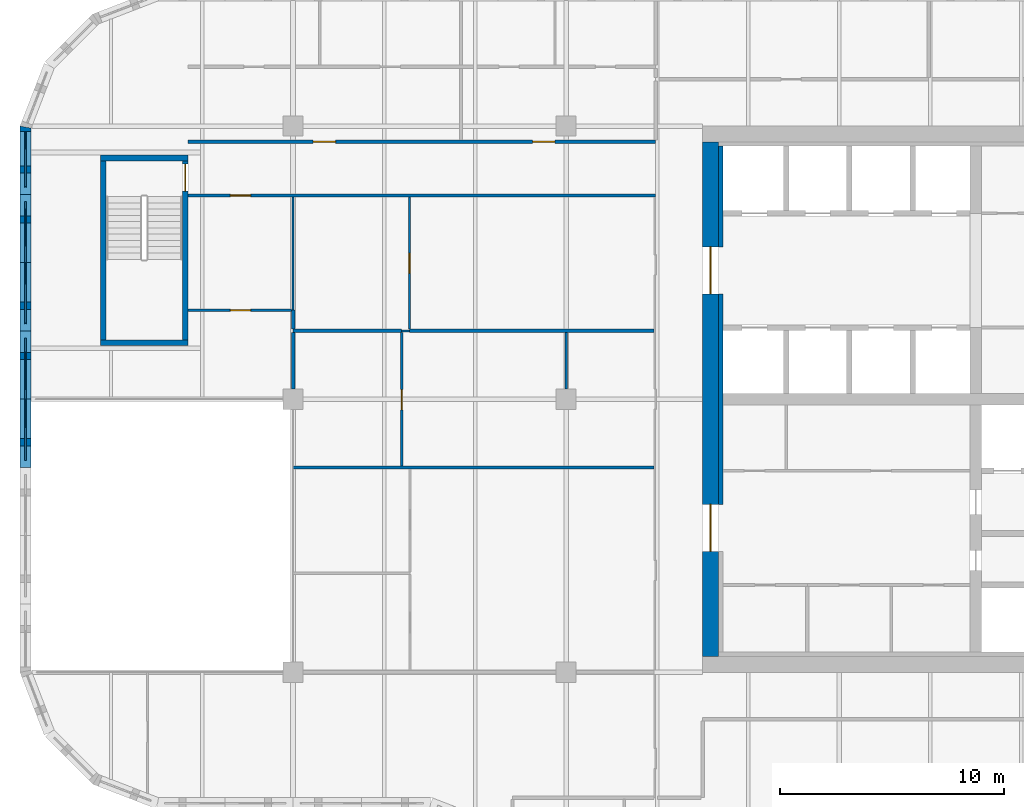
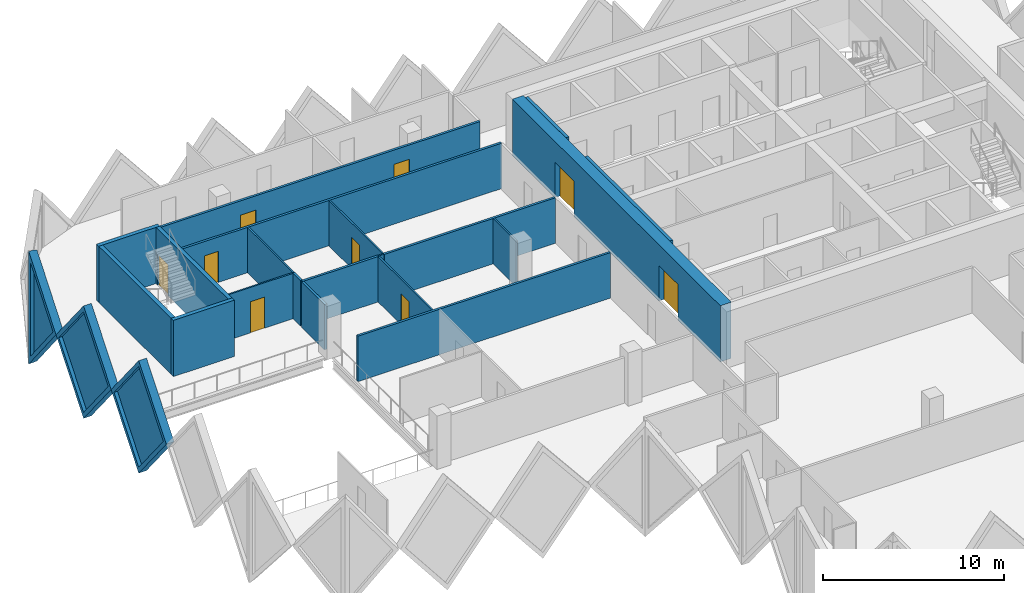
# One storey, part 7 of 12: 23 walls, 9 doors, 3 plates, 12 openings.
"""IFC4 building model written with IfcOpenShell, lengths in metres."""

from ifc_helpers import new_model, si_unit, direction, frame, frame_2d, origin, place, context, subcontext, project, spatial, polyline, rectangle, outline, extrude, faceted_brep, source, transform, mapped, material, layer, layer_set, type_object, element, fill, save


model = new_model("IFC4")

# Units and contexts
model_context = context("Model", 3, precision=1e-05, world=origin(), true_north=direction((0.0, 1.0)))
body_context = subcontext(model_context, "Body", "Model", "MODEL_VIEW")
ifc_project = project(units=[si_unit("LENGTHUNIT", "METRE"), si_unit("AREAUNIT", "SQUARE_METRE"), si_unit("VOLUMEUNIT", "CUBIC_METRE"), si_unit("PLANEANGLEUNIT", "RADIAN"), si_unit("MASSUNIT", "GRAM", prefix="KILO")], contexts=[model_context])

# Site, building, storey
site_placement = place(None, origin())
site = spatial("IfcSite", under=ifc_project, at=site_placement, CompositionType="ELEMENT")
building_placement = place(site_placement, origin())
building = spatial("IfcBuilding", under=site, at=building_placement, Name="Tessera Gate Towers", CompositionType="ELEMENT")
storey_placement = place(building_placement, frame((0.0, 0.0, 139.199951171875)))
storey = spatial("IfcBuildingStorey", under=building, at=storey_placement, Name="L34", CompositionType="ELEMENT", Elevation=139.199951171875)

# Walls
ifc_material_1 = material(Name="Concrete C40/50", Category="concrete")
ifc_layer_1 = layer(ifc_material_1, 0.25)
ifc_layer_set_1 = layer_set([ifc_layer_1], Name="CORE ENCLOSURE WALL 250")
wall_type_1 = type_object("IfcWallType", Name="CORE ENCLOSURE WALL 250", PredefinedType="SOLIDWALL", material=ifc_layer_set_1)
wall_1_placement = place(storey_placement, frame((7.5, 39.125, 0.0), z_axis=(0.0, 0.0, 1.0), x_axis=(-1.0, 0.0, 0.0)))
element("IfcWall", 1, at=wall_1_placement, inside=storey, type_object=wall_type_1, Name="L34 ST3 enclosure wall", PredefinedType="SOLIDWALL", context=body_context, shape_type="SweptSolid", body=[
    extrude(rectangle(XDim=3.89990234375, YDim=0.25, at=frame_2d((1.949951171875, 0.0))), origin(), (0.0, 0.0, 1.0), 3.800048828125),
])
wall_2_placement = place(storey_placement, frame((3.72509765625, 39.25, 0.0), z_axis=(0.0, 0.0, 1.0), x_axis=(0.0, 1.0, 0.0)))
element("IfcWall", 2, at=wall_2_placement, inside=storey, type_object=wall_type_1, Name="L34 ST3 enclosure wall", PredefinedType="SOLIDWALL", context=body_context, shape_type="SweptSolid", body=[
    extrude(rectangle(XDim=8.0, YDim=0.25, at=frame_2d((4.0, 0.0))), origin(), (0.0, 0.0, 1.0), 3.800048828125),
])
wall_3_placement = place(storey_placement, frame((3.60009765625, 47.375, 0.0), z_axis=(0.0, 0.0, 1.0), x_axis=(1.0, 0.0, 0.0)))
element("IfcWall", 3, at=wall_3_placement, inside=storey, type_object=wall_type_1, Name="L34 ST3 enclosure wall", PredefinedType="SOLIDWALL", context=body_context, shape_type="SweptSolid", body=[
    extrude(rectangle(XDim=3.89990234375, YDim=0.25, at=frame_2d((1.949951171875, 0.0))), origin(), (0.0, 0.0, 1.0), 3.800048828125),
])

# Wall, opening, door
wall_4_placement = place(storey_placement, frame((7.375, 47.25, 0.0), z_axis=(0.0, 0.0, 1.0), x_axis=(0.0, -1.0, 0.0)))
wall_4 = element("IfcWall", 4, at=wall_4_placement, inside=storey, type_object=wall_type_1, Name="L34 ST3 enclosure wall", PredefinedType="SOLIDWALL", context=body_context, shape_type="SweptSolid", body=[
    extrude(rectangle(XDim=8.0, YDim=0.25, at=frame_2d((4.0, 0.0))), origin(), (0.0, 0.0, 1.0), 3.800048828125),
])
shared_shape_1 = source(origin(), body_context, "Body", "SweptSolid", [
    extrude(rectangle(XDim=1.199951171875, YDim=2.10009765625, at=frame_2d((0.60009765625, 1.050048828125))), frame((0.0, 0.135009765625, 0.0), z_axis=(0.0, -1.0, 0.0), x_axis=(1.0, 0.0, 0.0)), (0.0, 0.0, 1.0), 0.27001953125),
])
opening_1_placement = place(wall_4_placement, frame((0.14990234375, 0.0, 0.0)))
opening_1 = element("IfcOpeningElement", 5, at=opening_1_placement, cuts=wall_4, Name="Opening SD-ST3-1", PredefinedType="OPENING", context=body_context, shape_type="MappedRepresentation", body=[
    mapped(shared_shape_1, transform((0.0, 0.0, 0.0), scale=1.0)),
])
ifc_material_2 = material(Name="Hollow steel fire door", Category="steel")
door_type_1 = type_object("IfcDoorType", Name="CORE DOOR SD 1200x2100", OperationType="NOTDEFINED", PredefinedType="DOOR", material=ifc_material_2)
shared_shape_2 = source(origin(), body_context, "Body", "SweptSolid", [
    extrude(rectangle(XDim=1.199951171875, YDim=2.10009765625, at=frame_2d((0.60009765625, 1.050048828125))), frame((0.0, 0.02490234375, 0.0), z_axis=(0.0, -1.0, 0.0), x_axis=(1.0, 0.0, 0.0)), (0.0, 0.0, 1.0), 0.050048828125),
])
door_1_placement = place(opening_1_placement, origin())
door_1 = element("IfcDoor", 6, at=door_1_placement, inside=storey, type_object=door_type_1, Name="Stair door", OperationType="SINGLE_SWING_LEFT", OverallHeight=2.10009765625, OverallWidth=1.199951171875, PredefinedType="DOOR", context=body_context, shape_type="MappedRepresentation", body=[
    mapped(shared_shape_2, transform((0.0, 0.0, 0.0), scale=1.0)),
])
fill(opening_1, door_1)

# Wall, openings, doors
ifc_material_3 = material(Name="Concrete C60/75", Category="concrete")
ifc_layer_2 = layer(ifc_material_3, 0.699951171875)
ifc_layer_set_2 = layer_set([ifc_layer_2], Name="CORE SHEAR WALL 700 C60/75")
wall_type_2 = type_object("IfcWallType", Name="CORE SHEAR WALL 700 C60/75", PredefinedType="SHEAR", material=ifc_layer_set_2)
wall_5_placement = place(storey_placement, frame((30.85009765625, 25.10009765625, 0.0), z_axis=(0.0, 0.0, 1.0), x_axis=(0.0, 1.0, 0.0)))
wall_5 = element("IfcWall", 7, at=wall_5_placement, inside=storey, type_object=wall_type_2, Name="Core wall W L34", PredefinedType="SHEAR", context=body_context, shape_type="SweptSolid", body=[
    extrude(rectangle(XDim=23.0, YDim=0.699951171875, at=frame_2d((11.5, 0.0))), origin(), (0.0, 0.0, 1.0), 3.800048828125),
])
shared_shape_3 = source(origin(), body_context, "Body", "SweptSolid", [
    extrude(rectangle(XDim=2.10009765625, YDim=2.39990234375, at=frame_2d((1.050048828125, 1.199951171875))), frame((0.0, 0.35986328125, 0.0), z_axis=(0.0, -1.0, 0.0), x_axis=(1.0, 0.0, 0.0)), (0.0, 0.0, 1.0), 0.719970703125),
])
opening_2_placement = place(wall_5_placement, frame((4.699951171875, 0.0, 0.0)))
opening_2 = element("IfcOpeningElement", 8, at=opening_2_placement, cuts=wall_5, Name="Opening DD-T1-23-02", PredefinedType="OPENING", context=body_context, shape_type="MappedRepresentation", body=[
    mapped(shared_shape_3, transform((0.0, 0.0, 0.0), scale=1.0)),
])
opening_3_placement = place(wall_5_placement, frame((16.199951171875, 0.0, 0.0)))
opening_3 = element("IfcOpeningElement", 9, at=opening_3_placement, cuts=wall_5, Name="Opening DD-T1-23-03", PredefinedType="OPENING", context=body_context, shape_type="MappedRepresentation", body=[
    mapped(shared_shape_3, transform((0.0, 0.0, 0.0), scale=1.0)),
])
ifc_material_4 = material(Name="Hollow steel fire door", Category="steel")
door_type_2 = type_object("IfcDoorType", Name="CORE DOOR DD 2100x2400", OperationType="NOTDEFINED", PredefinedType="DOOR", material=ifc_material_4)
shared_shape_4 = source(origin(), body_context, "Body", "SweptSolid", [
    extrude(rectangle(XDim=2.10009765625, YDim=2.39990234375, at=frame_2d((1.050048828125, 1.199951171875))), frame((0.0, 0.02490234375, 0.0), z_axis=(0.0, -1.0, 0.0), x_axis=(1.0, 0.0, 0.0)), (0.0, 0.0, 1.0), 0.050048828125),
])
door_2_placement = place(opening_2_placement, origin())
door_2 = element("IfcDoor", 10, at=door_2_placement, inside=storey, type_object=door_type_2, Name="Core entrance door", OperationType="DOUBLE_DOOR_SINGLE_SWING", OverallHeight=2.39990234375, OverallWidth=2.10009765625, PredefinedType="DOOR", context=body_context, shape_type="MappedRepresentation", body=[
    mapped(shared_shape_4, transform((0.0, 0.0, 0.0), scale=1.0)),
])
fill(opening_2, door_2)
door_3_placement = place(opening_3_placement, origin())
door_3 = element("IfcDoor", 11, at=door_3_placement, inside=storey, type_object=door_type_2, Name="Core entrance door", OperationType="DOUBLE_DOOR_SINGLE_SWING", OverallHeight=2.39990234375, OverallWidth=2.10009765625, PredefinedType="DOOR", context=body_context, shape_type="MappedRepresentation", body=[
    mapped(shared_shape_4, transform((0.0, 0.0, 0.0), scale=1.0)),
])
fill(opening_3, door_3)

# Walls
ifc_material_5 = material(Name="Concrete C60/75", Category="concrete")
ifc_layer_3 = layer(ifc_material_5, 0.199951171875)
ifc_layer_set_3 = layer_set([ifc_layer_3], Name="CORE WALL THICKENING 200")
wall_type_3 = type_object("IfcWallType", Name="CORE WALL THICKENING 200", PredefinedType="SOLIDWALL", material=ifc_layer_set_3)
wall_6_placement = place(storey_placement, frame((31.300048828125, 31.89990234375, 0.0), z_axis=(0.0, 0.0, 1.0), x_axis=(0.0, 1.0, 0.0)))
element("IfcWall", 12, at=wall_6_placement, inside=storey, type_object=wall_type_3, Name="Core wall thickening W L34", PredefinedType="SOLIDWALL", context=body_context, shape_type="SweptSolid", body=[
    extrude(rectangle(XDim=9.400146484375, YDim=0.199951171875, at=frame_2d((4.7001953125, 0.0))), origin(), (0.0, 0.0, 1.0), 3.800048828125),
])
wall_7_placement = place(storey_placement, frame((31.300048828125, 43.39990234375, 0.0), z_axis=(0.0, 0.0, 1.0), x_axis=(0.0, 1.0, 0.0)))
element("IfcWall", 13, at=wall_7_placement, inside=storey, type_object=wall_type_3, Name="Core wall thickening W L34", PredefinedType="SOLIDWALL", context=body_context, shape_type="SweptSolid", body=[
    extrude(rectangle(XDim=4.5, YDim=0.199951171875, at=frame_2d((2.25, 0.0))), origin(), (0.0, 0.0, 1.0), 3.800048828125),
])

# Wall, opening, door
ifc_material_6 = material(Name="Gypsum board on steel studs, mineral wool", Category="steel")
ifc_layer_4 = layer(ifc_material_6, 0.14990234375)
ifc_layer_set_4 = layer_set([ifc_layer_4], Name="CORRIDOR WALL 150")
wall_type_4 = type_object("IfcWallType", Name="CORRIDOR WALL 150", PredefinedType="PARTITIONING", material=ifc_layer_set_4)
wall_8_placement = place(storey_placement, frame((28.39990234375, 45.699951171875, 0.0), z_axis=(0.0, 0.0, 1.0), x_axis=(-1.0, 0.0, 0.0)))
wall_8 = element("IfcWall", 14, at=wall_8_placement, inside=storey, type_object=wall_type_4, Name="T1-L34-PW-046", PredefinedType="PARTITIONING", context=body_context, shape_type="SweptSolid", body=[
    extrude(rectangle(XDim=20.89990234375, YDim=0.14990234375, at=frame_2d((10.449951171875, 0.0))), origin(), (0.0, 0.0, 1.0), 3.067138671875),
])
shared_shape_5 = source(origin(), body_context, "Body", "SweptSolid", [
    extrude(rectangle(XDim=0.89990234375, YDim=2.10009765625, at=frame_2d((0.449951171875, 1.050048828125))), frame((0.0, 0.0849609375, 0.0), z_axis=(0.0, -1.0, 0.0), x_axis=(1.0, 0.0, 0.0)), (0.0, 0.0, 1.0), 0.169921875),
])
opening_4_placement = place(wall_8_placement, frame((18.10009765625, 0.0, 0.0)))
opening_4 = element("IfcOpeningElement", 15, at=opening_4_placement, cuts=wall_8, Name="Opening D890FD60-A12-02", PredefinedType="OPENING", context=body_context, shape_type="MappedRepresentation", body=[
    mapped(shared_shape_5, transform((0.0, 0.0, 0.0), scale=1.0)),
])
ifc_material_7 = material(Name="Timber door leaf in steel frame", Category="steel")
door_type_3 = type_object("IfcDoorType", Name="CORRIDOR DOOR 900 FD60", OperationType="NOTDEFINED", PredefinedType="DOOR", material=ifc_material_7)
shared_shape_6 = source(origin(), body_context, "Body", "SweptSolid", [
    extrude(rectangle(XDim=0.89990234375, YDim=2.10009765625, at=frame_2d((0.449951171875, 1.050048828125))), frame((0.0, 0.02490234375, 0.0), z_axis=(0.0, -1.0, 0.0), x_axis=(1.0, 0.0, 0.0)), (0.0, 0.0, 1.0), 0.050048828125),
])
door_4_placement = place(opening_4_placement, origin())
door_4 = element("IfcDoor", 16, at=door_4_placement, inside=storey, type_object=door_type_3, Name="T1-L34-PD-010", OperationType="SINGLE_SWING_RIGHT", OverallHeight=2.10009765625, OverallWidth=0.89990234375, PredefinedType="DOOR", context=body_context, shape_type="MappedRepresentation", body=[
    mapped(shared_shape_6, transform((0.0, 0.0, 0.0), scale=1.0)),
])
fill(opening_4, door_4)

# Wall, openings, doors
wall_9_placement = place(storey_placement, frame((7.5, 48.10009765625, 0.0), z_axis=(0.0, 0.0, 1.0), x_axis=(1.0, 0.0, 0.0)))
wall_9 = element("IfcWall", 17, at=wall_9_placement, inside=storey, type_object=wall_type_4, Name="T1-L34-PW-047", PredefinedType="PARTITIONING", context=body_context, shape_type="SweptSolid", body=[
    extrude(rectangle(XDim=20.89990234375, YDim=0.14990234375, at=frame_2d((10.449951171875, 0.0))), origin(), (0.0, 0.0, 1.0), 3.067138671875),
])
shared_shape_7 = source(origin(), body_context, "Body", "SweptSolid", [
    extrude(rectangle(XDim=1.0, YDim=2.10009765625, at=frame_2d((0.5, 1.050048828125))), frame((0.0, 0.0849609375, 0.0), z_axis=(0.0, -1.0, 0.0), x_axis=(1.0, 0.0, 0.0)), (0.0, 0.0, 1.0), 0.169921875),
])
opening_5_placement = place(wall_9_placement, frame((15.40087890625, 0.0, 0.0)))
opening_5 = element("IfcOpeningElement", 18, at=opening_5_placement, cuts=wall_9, Name="Opening D2100FD60-A12-02", PredefinedType="OPENING", context=body_context, shape_type="MappedRepresentation", body=[
    mapped(shared_shape_7, transform((0.0, 0.0, 0.0), scale=1.0)),
])
opening_6_placement = place(wall_9_placement, frame((5.60009765625, 0.0, 0.0)))
opening_6 = element("IfcOpeningElement", 19, at=opening_6_placement, cuts=wall_9, Name="Opening D2100FD60-A12-03", PredefinedType="OPENING", context=body_context, shape_type="MappedRepresentation", body=[
    mapped(shared_shape_7, transform((0.0, 0.0, 0.0), scale=1.0)),
])
ifc_material_8 = material(Name="Timber door leaf in steel frame", Category="steel")
door_type_4 = type_object("IfcDoorType", Name="TENANCY ENTRANCE DOOR 1000 FD60", OperationType="NOTDEFINED", PredefinedType="DOOR", material=ifc_material_8)
shared_shape_8 = source(origin(), body_context, "Body", "SweptSolid", [
    extrude(rectangle(XDim=1.0, YDim=2.10009765625, at=frame_2d((0.5, 1.050048828125))), frame((0.0, 0.02490234375, 0.0), z_axis=(0.0, -1.0, 0.0), x_axis=(1.0, 0.0, 0.0)), (0.0, 0.0, 1.0), 0.050048828125),
])
door_5_placement = place(opening_5_placement, origin())
door_5 = element("IfcDoor", 20, at=door_5_placement, inside=storey, type_object=door_type_4, Name="T1-L34-PD-025", OperationType="SINGLE_SWING_LEFT", OverallHeight=2.10009765625, OverallWidth=1.0, PredefinedType="DOOR", context=body_context, shape_type="MappedRepresentation", body=[
    mapped(shared_shape_8, transform((0.0, 0.0, 0.0), scale=1.0)),
])
fill(opening_5, door_5)
door_6_placement = place(opening_6_placement, origin())
door_6 = element("IfcDoor", 21, at=door_6_placement, inside=storey, type_object=door_type_4, Name="T1-L34-PD-030", OperationType="SINGLE_SWING_LEFT", OverallHeight=2.10009765625, OverallWidth=1.0, PredefinedType="DOOR", context=body_context, shape_type="MappedRepresentation", body=[
    mapped(shared_shape_8, transform((0.0, 0.0, 0.0), scale=1.0)),
])
fill(opening_6, door_6)

# Wall
ifc_material_9 = material(Name="Glass", Category="glass")
ifc_layer_5 = layer(ifc_material_9, 0.10009765625)
ifc_layer_set_5 = layer_set([ifc_layer_5], Name="GLAZED PARTITION 100")
wall_type_5 = type_object("IfcWallType", Name="GLAZED PARTITION 100", PredefinedType="PARTITIONING", material=ifc_layer_set_5)
wall_10_placement = place(storey_placement, frame((17.051025390625, 39.64990234375, 0.0), z_axis=(0.0, 0.0, 1.0), x_axis=(1.0, 0.0, 0.0)))
element("IfcWall", 22, at=wall_10_placement, inside=storey, type_object=wall_type_5, Name="T1-L34-PW-040", PredefinedType="PARTITIONING", context=body_context, shape_type="SweptSolid", body=[
    extrude(rectangle(XDim=0.347900390625, YDim=0.10009765625, at=frame_2d((0.173828125, 0.0))), origin(), (0.0, 0.0, 1.0), 3.067138671875),
])

# Wall, opening, door
wall_11_placement = place(storey_placement, frame((17.39990234375, 39.72607421875, 0.0), z_axis=(0.0, 0.0, 1.0), x_axis=(0.0, 1.0, 0.0)))
wall_11 = element("IfcWall", 23, at=wall_11_placement, inside=storey, type_object=wall_type_5, Name="T1-L34-PW-043", PredefinedType="PARTITIONING", context=body_context, shape_type="SweptSolid", body=[
    extrude(rectangle(XDim=5.89794921875, YDim=0.10009765625, at=frame_2d((2.948974609375, 0.0))), origin(), (0.0, 0.0, 1.0), 3.067138671875),
])
shared_shape_9 = source(origin(), body_context, "Body", "SweptSolid", [
    extrude(rectangle(XDim=0.89990234375, YDim=2.10009765625, at=frame_2d((0.449951171875, 1.050048828125))), frame((0.0, 0.06005859375, 0.0), z_axis=(0.0, -1.0, 0.0), x_axis=(1.0, 0.0, 0.0)), (0.0, 0.0, 1.0), 0.1201171875),
])
opening_7_placement = place(wall_11_placement, frame((2.5, 0.0, 0.0)))
opening_7 = element("IfcOpeningElement", 24, at=opening_7_placement, cuts=wall_11, Name="Opening D690-A12-03", PredefinedType="OPENING", context=body_context, shape_type="MappedRepresentation", body=[
    mapped(shared_shape_9, transform((0.0, 0.0, 0.0), scale=1.0)),
])
ifc_material_10 = material(Name="Glass in aluminium frame", Category="aluminium")
door_type_5 = type_object("IfcDoorType", Name="GLAZED DOOR 900 NOT RATED", OperationType="NOTDEFINED", PredefinedType="DOOR", material=ifc_material_10)
door_7_placement = place(opening_7_placement, origin())
door_7 = element("IfcDoor", 25, at=door_7_placement, inside=storey, type_object=door_type_5, Name="T1-L34-PD-017", OperationType="SINGLE_SWING_LEFT", OverallHeight=2.10009765625, OverallWidth=0.89990234375, PredefinedType="DOOR", context=body_context, shape_type="MappedRepresentation", body=[
    mapped(shared_shape_6, transform((0.0, 0.0, 0.0), scale=1.0)),
])
fill(opening_7, door_7)

wall_12_placement = place(storey_placement, frame((12.1240234375, 40.574951171875, 0.0), z_axis=(0.0, 0.0, 1.0), x_axis=(-1.0, 0.0, 0.0)))
wall_12 = element("IfcWall", 26, at=wall_12_placement, inside=storey, type_object=wall_type_5, Name="T1-L34-PW-044", PredefinedType="PARTITIONING", context=body_context, shape_type="SweptSolid", body=[
    extrude(rectangle(XDim=4.6240234375, YDim=0.10009765625, at=frame_2d((2.31201171875, 0.0))), origin(), (0.0, 0.0, 1.0), 3.067138671875),
])
opening_8_placement = place(wall_12_placement, frame((1.823974609375, 0.0, 0.0)))
opening_8 = element("IfcOpeningElement", 27, at=opening_8_placement, cuts=wall_12, Name="Opening D690-A12-01", PredefinedType="OPENING", context=body_context, shape_type="MappedRepresentation", body=[
    mapped(shared_shape_9, transform((0.0, 0.0, 0.0), scale=1.0)),
])
door_8_placement = place(opening_8_placement, origin())
door_8 = element("IfcDoor", 28, at=door_8_placement, inside=storey, type_object=door_type_5, Name="T1-L34-PD-009", OperationType="SINGLE_SWING_RIGHT", OverallHeight=2.10009765625, OverallWidth=0.89990234375, PredefinedType="DOOR", context=body_context, shape_type="MappedRepresentation", body=[
    mapped(shared_shape_6, transform((0.0, 0.0, 0.0), scale=1.0)),
])
fill(opening_8, door_8)

# Wall
wall_13_placement = place(storey_placement, frame((12.199951171875, 40.575927734375, 0.0), z_axis=(0.0, 0.0, 1.0), x_axis=(0.0, 1.0, 0.0)))
element("IfcWall", 29, at=wall_13_placement, inside=storey, type_object=wall_type_5, Name="T1-L34-PW-045", PredefinedType="PARTITIONING", context=body_context, shape_type="SweptSolid", body=[
    extrude(rectangle(XDim=5.048095703125, YDim=0.10009765625, at=frame_2d((2.52392578125, 0.0))), origin(), (0.0, 0.0, 1.0), 3.067138671875),
])

# Wall, opening, door
ifc_material_11 = material(Name="Gypsum board on steel studs", Category="steel")
ifc_layer_6 = layer(ifc_material_11, 0.10009765625)
ifc_layer_set_6 = layer_set([ifc_layer_6], Name="PARTITION 100")
wall_type_6 = type_object("IfcWallType", Name="PARTITION 100", PredefinedType="PARTITIONING", material=ifc_layer_set_6)
wall_14_placement = place(storey_placement, frame((17.050048828125, 33.6259765625, 0.0), z_axis=(0.0, 0.0, 1.0), x_axis=(0.0, 1.0, 0.0)))
wall_14 = element("IfcWall", 30, at=wall_14_placement, inside=storey, type_object=wall_type_6, Name="T1-L34-PW-036", PredefinedType="PARTITIONING", context=body_context, shape_type="SweptSolid", body=[
    extrude(rectangle(XDim=5.947998046875, YDim=0.10009765625, at=frame_2d((2.97412109375, 0.0))), origin(), (0.0, 0.0, 1.0), 3.067138671875),
])
opening_9_placement = place(wall_14_placement, frame((2.5, 0.0, 0.0)))
opening_9 = element("IfcOpeningElement", 31, at=opening_9_placement, cuts=wall_14, Name="Opening D190-A12-12", PredefinedType="OPENING", context=body_context, shape_type="MappedRepresentation", body=[
    mapped(shared_shape_9, transform((0.0, 0.0, 0.0), scale=1.0)),
])
ifc_material_12 = material(Name="Timber door leaf in steel frame", Category="steel")
door_type_6 = type_object("IfcDoorType", Name="INTERNAL DOOR 900 NOT RATED", OperationType="NOTDEFINED", PredefinedType="DOOR", material=ifc_material_12)
door_9_placement = place(opening_9_placement, origin())
door_9 = element("IfcDoor", 32, at=door_9_placement, inside=storey, type_object=door_type_6, Name="T1-L34-PD-018", OperationType="SINGLE_SWING_LEFT", OverallHeight=2.10009765625, OverallWidth=0.89990234375, PredefinedType="DOOR", context=body_context, shape_type="MappedRepresentation", body=[
    mapped(shared_shape_6, transform((0.0, 0.0, 0.0), scale=1.0)),
])
fill(opening_9, door_9)

# Walls
wall_15_placement = place(storey_placement, frame((24.39990234375, 37.050048828125, 0.0), z_axis=(0.0, 0.0, 1.0), x_axis=(0.0, 1.0, 0.0)))
element("IfcWall", 33, at=wall_15_placement, inside=storey, type_object=wall_type_6, Name="T1-L34-PW-038", PredefinedType="PARTITIONING", context=body_context, shape_type="SweptSolid", body=[
    extrude(rectangle(XDim=2.52490234375, YDim=0.10009765625, at=frame_2d((1.262451171875, 0.0))), origin(), (0.0, 0.0, 1.0), 3.067138671875),
])
ifc_material_13 = material(Name="Gypsum board on steel studs, mineral wool", Category="steel")
ifc_layer_7 = layer(ifc_material_13, 0.14990234375)
ifc_layer_set_7 = layer_set([ifc_layer_7], Name="TENANCY WALL 150")
wall_type_7 = type_object("IfcWallType", Name="TENANCY WALL 150", PredefinedType="PARTITIONING", material=ifc_layer_set_7)
wall_16_placement = place(storey_placement, frame((12.199951171875, 33.550048828125, 0.0), z_axis=(0.0, 0.0, 1.0), x_axis=(1.0, 0.0, 0.0)))
element("IfcWall", 34, at=wall_16_placement, inside=storey, type_object=wall_type_7, Name="T1-L34-PW-035", PredefinedType="PARTITIONING", context=body_context, shape_type="SweptSolid", body=[
    extrude(rectangle(XDim=16.1240234375, YDim=0.14990234375, at=frame_2d((8.06201171875, 0.0))), origin(), (0.0, 0.0, 1.0), 3.067138671875),
])
wall_17_placement = place(storey_placement, frame((12.199951171875, 37.051025390625, 0.0), z_axis=(0.0, 0.0, 1.0), x_axis=(0.0, 1.0, 0.0)))
element("IfcWall", 35, at=wall_17_placement, inside=storey, type_object=wall_type_7, Name="T1-L34-PW-037", PredefinedType="PARTITIONING", context=body_context, shape_type="SweptSolid", body=[
    extrude(rectangle(XDim=2.52294921875, YDim=0.14990234375, at=frame_2d((1.261474609375, 0.0))), origin(), (0.0, 0.0, 1.0), 3.067138671875),
])
wall_18_placement = place(storey_placement, frame((12.199951171875, 39.64990234375, 0.0), z_axis=(0.0, 0.0, 1.0), x_axis=(1.0, 0.0, 0.0)))
element("IfcWall", 36, at=wall_18_placement, inside=storey, type_object=wall_type_7, Name="T1-L34-PW-039", PredefinedType="PARTITIONING", context=body_context, shape_type="SweptSolid", body=[
    extrude(rectangle(XDim=4.85009765625, YDim=0.14990234375, at=frame_2d((2.425048828125, 0.0))), origin(), (0.0, 0.0, 1.0), 3.067138671875),
])
wall_19_placement = place(storey_placement, frame((17.39990234375, 39.64990234375, 0.0), z_axis=(0.0, 0.0, 1.0), x_axis=(1.0, 0.0, 0.0)))
element("IfcWall", 37, at=wall_19_placement, inside=storey, type_object=wall_type_7, Name="T1-L34-PW-041", PredefinedType="PARTITIONING", context=body_context, shape_type="SweptSolid", body=[
    extrude(rectangle(XDim=10.924072265625, YDim=0.14990234375, at=frame_2d((5.4619140625, 0.0))), origin(), (0.0, 0.0, 1.0), 3.067138671875),
])
wall_20_placement = place(storey_placement, frame((12.199951171875, 39.72607421875, 0.0), z_axis=(0.0, 0.0, 1.0), x_axis=(0.0, 1.0, 0.0)))
element("IfcWall", 38, at=wall_20_placement, inside=storey, type_object=wall_type_7, Name="T1-L34-PW-042", PredefinedType="PARTITIONING", context=body_context, shape_type="SweptSolid", body=[
    extrude(rectangle(XDim=0.848876953125, YDim=0.14990234375, at=frame_2d((0.42431640625, 0.0))), origin(), (0.0, 0.0, 1.0), 3.067138671875),
])

# Wall, opening, plate
ifc_material_14 = material(Name="Precast concrete C60/75 white", Category="concrete")
ifc_layer_8 = layer(ifc_material_14, 0.5)
ifc_layer_set_8 = layer_set([ifc_layer_8], Name="TS1 tessera")
wall_type_8 = type_object("IfcWallType", Name="TS1 tessera", PredefinedType="SOLIDWALL", material=ifc_layer_set_8)
shared_shape_10 = source(origin(), body_context, "Body", "Brep", [
    faceted_brep([(3.050048828125, -0.25, 0.0), (6.099853515625, -0.25, 3.7998046875), (6.099853515625, -0.25, 3.80029296875), (3.050048828125, -0.25, 7.60009765625), (0.0, -0.25, 3.800048828125), (0.0, 0.25, 3.800048828125), (3.050048828125, 0.25, 7.60009765625), (6.099853515625, 0.25, 3.80029296875), (6.099853515625, 0.25, 3.7998046875), (3.050048828125, 0.25, 0.0)], [[[0, 1, 2, 3, 4]], [[5, 6, 7, 8, 9]], [[9, 8, 1, 0]], [[7, 6, 3, 2]], [[6, 5, 4, 3]], [[5, 9, 0, 4]], [[1, 8, 7, 2]]]),
])
wall_21_placement = place(storey_placement, frame((0.25, 39.64990234375, -3.800048828125), z_axis=(0.0, 0.0, 1.0), x_axis=(0.0, -1.0, 0.0)))
wall_21 = element("IfcWall", 39, at=wall_21_placement, inside=storey, type_object=wall_type_8, Name="Precast tessera T1 TS1-0594", PredefinedType="SOLIDWALL", context=body_context, shape_type="MappedRepresentation", body=[
    mapped(shared_shape_10, transform((0.0, 0.0, 0.0), scale=1.0)),
])
shared_shape_11 = source(origin(), body_context, "Body", "SweptSolid", [
    extrude(outline(polyline([(3.050048828125, 0.3994140625), (5.779541015625, 3.800048828125), (3.050048828125, 7.20068359375), (0.320556640625, 3.800048828125), (3.050048828125, 0.3994140625)])), frame((0.0, 0.260009765625, 0.0), z_axis=(0.0, -1.0, 0.0), x_axis=(1.0, 0.0, 0.0)), (0.0, 0.0, 1.0), 0.52001953125),
])
opening_10_placement = place(wall_21_placement, origin())
opening_10 = element("IfcOpeningElement", 40, at=opening_10_placement, cuts=wall_21, Name="Opening T1-PL2-1206", PredefinedType="OPENING", context=body_context, shape_type="MappedRepresentation", body=[
    mapped(shared_shape_11, transform((0.0, 0.0, 0.0), scale=1.0)),
])
ifc_material_15 = material(Name="Low-e laminated glass", Category="glass")
ifc_layer_9 = layer(ifc_material_15, 0.06005859375)
ifc_layer_set_9 = layer_set([ifc_layer_9], Name="PL2 rhombic pane")
plate_type = type_object("IfcPlateType", Name="PL2 rhombic pane", PredefinedType="SHEET", material=ifc_layer_set_9)
shared_shape_12 = source(origin(), body_context, "Body", "SweptSolid", [
    extrude(outline(polyline([(3.050048828125, 0.3994140625), (5.779541015625, 3.800048828125), (3.050048828125, 7.20068359375), (0.320556640625, 3.800048828125), (3.050048828125, 0.3994140625)])), frame((0.0, 0.030029296875, 0.0), z_axis=(0.0, -1.0, 0.0), x_axis=(1.0, 0.0, 0.0)), (0.0, 0.0, 1.0), 0.06005859375),
])
plate_1_placement = place(opening_10_placement, origin())
plate_1 = element("IfcPlate", 41, at=plate_1_placement, inside=storey, type_object=plate_type, Name="Glass pane T1 PL2-1206", PredefinedType="SHEET", context=body_context, shape_type="MappedRepresentation", body=[
    mapped(shared_shape_12, transform((0.0, 0.0, 0.0), scale=1.0)),
])
fill(opening_10, plate_1)

shared_shape_13 = source(origin(), body_context, "Body", "SweptSolid", [
    extrude(outline(polyline([(3.050048828125, 0.0), (6.10009765625, 3.800048828125), (3.050048828125, 7.60009765625), (0.0, 3.800048828125), (3.050048828125, 0.0)])), frame((0.0, 0.25, 0.0), z_axis=(0.0, -1.0, 0.0), x_axis=(1.0, 0.0, 0.0)), (0.0, 0.0, 1.0), 0.5),
])
wall_22_placement = place(storey_placement, frame((0.25, 45.75, -3.800048828125), z_axis=(0.0, 0.0, 1.0), x_axis=(0.0, -1.0, 0.0)))
wall_22 = element("IfcWall", 42, at=wall_22_placement, inside=storey, type_object=wall_type_8, Name="Precast tessera T1 TS1-0593", PredefinedType="SOLIDWALL", context=body_context, shape_type="MappedRepresentation", body=[
    mapped(shared_shape_13, transform((0.0, 0.0, 0.0), scale=1.0)),
])
opening_11_placement = place(wall_22_placement, origin())
opening_11 = element("IfcOpeningElement", 43, at=opening_11_placement, cuts=wall_22, Name="Opening T1-PL2-1205", PredefinedType="OPENING", context=body_context, shape_type="MappedRepresentation", body=[
    mapped(shared_shape_11, transform((0.0, 0.0, 0.0), scale=1.0)),
])
plate_2_placement = place(opening_11_placement, origin())
plate_2 = element("IfcPlate", 44, at=plate_2_placement, inside=storey, type_object=plate_type, Name="Glass pane T1 PL2-1205", PredefinedType="SHEET", context=body_context, shape_type="MappedRepresentation", body=[
    mapped(shared_shape_12, transform((0.0, 0.0, 0.0), scale=1.0)),
])
fill(opening_11, plate_2)

ifc_material_16 = material(Name="Precast concrete C60/75 white", Category="concrete")
ifc_layer_10 = layer(ifc_material_16, 0.5)
ifc_layer_set_10 = layer_set([ifc_layer_10], Name="TS3 corner tessera")
wall_type_9 = type_object("IfcWallType", Name="TS3 corner tessera", PredefinedType="SOLIDWALL", material=ifc_layer_set_10)
shared_shape_14 = source(origin(), body_context, "Body", "Brep", [
    faceted_brep([(0.046630859375, -0.25, 0.0), (3.050048828125, -0.25, 3.800048828125), (0.046630859375, -0.25, 7.60009765625), (0.0, -0.25, 7.5400390625), (0.0, -0.25, 0.06005859375), (0.09326171875, 0.25, 7.541259765625), (3.050048828125, 0.25, 3.800048828125), (0.09326171875, 0.25, 0.058837890625), (0.046630859375, 0.0, 0.0), (0.046630859375, 0.0, 7.60009765625)], [[[0, 1, 2, 3, 4]], [[5, 6, 7]], [[7, 6, 1, 0, 8]], [[6, 5, 9, 2, 1]], [[3, 2, 9]], [[8, 0, 4]], [[7, 8, 4, 3, 9, 5]]]),
])
wall_23_placement = place(storey_placement, frame((0.25, 48.800048828125, -3.800048828125), z_axis=(0.0, 0.0, 1.0), x_axis=(0.0, -1.0, 0.0)))
wall_23 = element("IfcWall", 45, at=wall_23_placement, inside=storey, type_object=wall_type_9, Name="Precast corner tessera T1 TS3-0780", PredefinedType="SOLIDWALL", context=body_context, shape_type="MappedRepresentation", body=[
    mapped(shared_shape_14, transform((0.0, 0.0, 0.0), scale=1.0)),
])
shared_shape_15 = source(origin(), body_context, "Body", "SweptSolid", [
    extrude(outline(polyline([(0.24658203125, 0.65625), (2.7314453125, 3.800048828125), (0.24658203125, 6.94384765625), (0.24658203125, 0.65625)])), frame((0.0, 0.260009765625, 0.0), z_axis=(0.0, -1.0, 0.0), x_axis=(1.0, 0.0, 0.0)), (0.0, 0.0, 1.0), 0.52001953125),
])
opening_12_placement = place(wall_23_placement, origin())
opening_12 = element("IfcOpeningElement", 46, at=opening_12_placement, cuts=wall_23, Name="Opening T1-PL2-1204", PredefinedType="OPENING", context=body_context, shape_type="MappedRepresentation", body=[
    mapped(shared_shape_15, transform((0.0, 0.0, 0.0), scale=1.0)),
])
shared_shape_16 = source(origin(), body_context, "Body", "SweptSolid", [
    extrude(outline(polyline([(0.24658203125, 0.65625), (2.7314453125, 3.800048828125), (0.24658203125, 6.94384765625), (0.24658203125, 0.65625)])), frame((0.0, 0.030029296875, 0.0), z_axis=(0.0, -1.0, 0.0), x_axis=(1.0, 0.0, 0.0)), (0.0, 0.0, 1.0), 0.06005859375),
])
plate_3_placement = place(opening_12_placement, origin())
plate_3 = element("IfcPlate", 47, at=plate_3_placement, inside=storey, type_object=plate_type, Name="Glass pane T1 PL2-1204", PredefinedType="SHEET", context=body_context, shape_type="MappedRepresentation", body=[
    mapped(shared_shape_16, transform((0.0, 0.0, 0.0), scale=1.0)),
])
fill(opening_12, plate_3)

save(model, "model.ifc")
